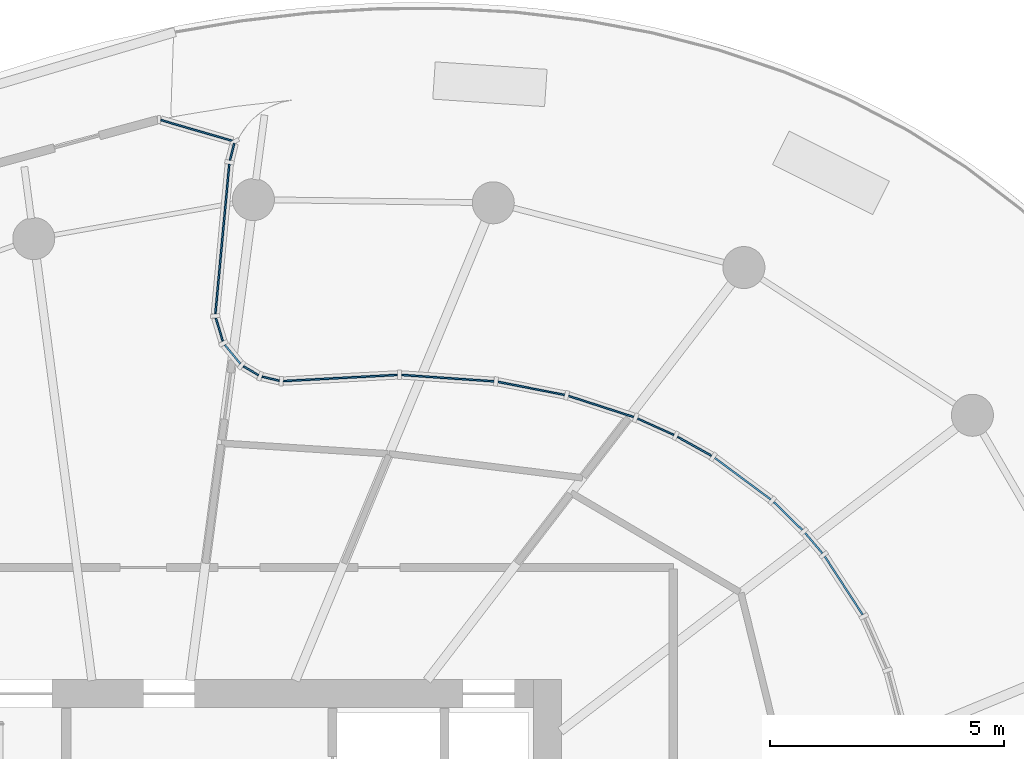
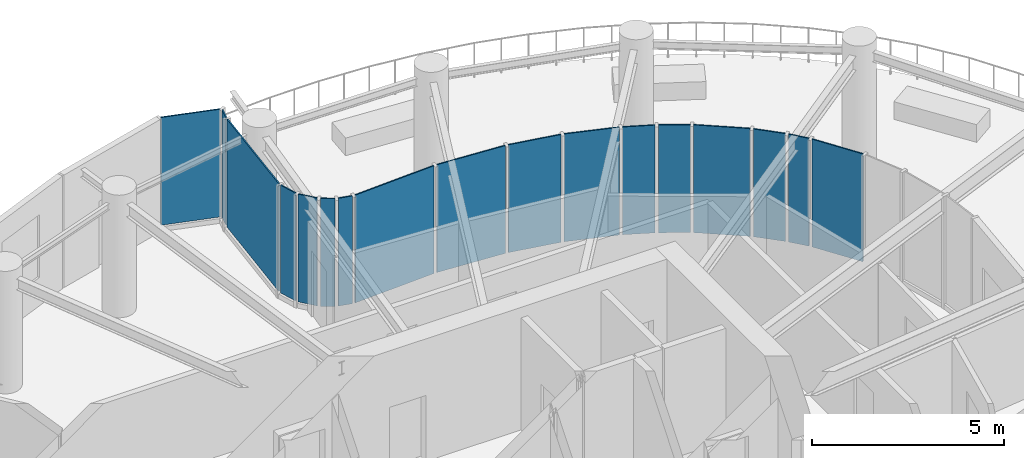
# One storey, part 10 of 19: 17 plates, 3 elements without a shape of their own.
"""IFC4 building model written with IfcOpenShell, lengths in metres."""

from ifc_helpers import new_model, si_unit, direction, frame, origin, origin_2d, place, context, subcontext, project, spatial, rectangle, extrude, source, transform, mapped, material, layer, layer_set, type_object, element, aggregate, save


model = new_model("IFC4")

# Units and contexts
model_context = context("Model", 3, precision=1e-05, world=origin(), true_north=direction((0.0, 1.0)))
body_context = subcontext(model_context, "Body", "Model", "MODEL_VIEW")
ifc_project = project(units=[si_unit("LENGTHUNIT", "METRE"), si_unit("AREAUNIT", "SQUARE_METRE"), si_unit("VOLUMEUNIT", "CUBIC_METRE"), si_unit("PLANEANGLEUNIT", "RADIAN"), si_unit("MASSUNIT", "GRAM", prefix="KILO")], contexts=[model_context])

# Site, building, storey
site_placement = place(None, origin())
site = spatial("IfcSite", under=ifc_project, at=site_placement, CompositionType="ELEMENT")
building_placement = place(site_placement, origin())
building = spatial("IfcBuilding", under=site, at=building_placement, Name="Spindrift Exchange Tower", CompositionType="ELEMENT")
storey_placement = place(building_placement, frame((0.0, 0.0, 183.800048828125)))
storey = spatial("IfcBuildingStorey", under=building, at=storey_placement, Name="L44", CompositionType="ELEMENT", Elevation=183.800048828125)

# Curtain wall, plates
ifc_material_1 = material(Name="Fritted laminated glass with bronze frame", Category="glass")
ifc_layer_1 = layer(ifc_material_1, 0.199951171875)
ifc_layer_set_1 = layer_set([ifc_layer_1], Name="SKY GARDEN BRONZE GLAZED WALL")
curtain_wall_type = type_object("IfcCurtainWallType", Name="SKY GARDEN BRONZE GLAZED WALL", PredefinedType="NOTDEFINED", material=ifc_layer_set_1)
curtain_wall_1_placement = place(storey_placement, origin())
curtain_wall_1 = element("IfcCurtainWall", 1, at=curtain_wall_1_placement, inside=storey, type_object=curtain_wall_type, Name="L44 Sky Garden Bronze Glazed Wall run 8", PredefinedType="NOTDEFINED")
ifc_material_2 = material(Name="Bronze tinted laminated glass, clear vision", Category="glass")
ifc_layer_2 = layer(ifc_material_2, 0.0380859375)
ifc_layer_set_2 = layer_set([ifc_layer_2], Name="SKY GARDEN BRONZE GLAZED WALL PANEL CLEAR 1920")
plate_type_1 = type_object("IfcPlateType", Name="SKY GARDEN BRONZE GLAZED WALL PANEL CLEAR 1920", PredefinedType="CURTAIN_PANEL", material=ifc_layer_set_2)
shared_shape_1 = source(origin(), body_context, "Body", "SweptSolid", [
    extrude(rectangle(XDim=1.488525390625, YDim=0.0380859375, at=origin_2d()), origin(), (0.0, 0.0, 1.0), 3.429931640625),
])
plate_1_placement = place(storey_placement, frame((67.04638671875, 58.01318359375, 0.14990234375), z_axis=(0.0, 0.0, 1.0), x_axis=(-0.545470180816, 0.838130229643, 0.0)))
plate_1 = element("IfcPlate", 2, at=plate_1_placement, type_object=plate_type_1, Name="L44 panel CW-G.40", PredefinedType="CURTAIN_PANEL", context=body_context, shape_type="MappedRepresentation", body=[
    mapped(shared_shape_1, transform((0.0, 0.0, 0.0), scale=1.0)),
])
ifc_layer_3 = layer(ifc_material_2, 0.0380859375)
ifc_layer_set_3 = layer_set([ifc_layer_3], Name="SKY GARDEN BRONZE GLAZED WALL PANEL CLEAR 1200")
plate_type_2 = type_object("IfcPlateType", Name="SKY GARDEN BRONZE GLAZED WALL PANEL CLEAR 1200", PredefinedType="CURTAIN_PANEL", material=ifc_layer_set_3)
shared_shape_2 = source(origin(), body_context, "Body", "SweptSolid", [
    extrude(rectangle(XDim=0.5712890625, YDim=0.0380859375, at=origin_2d()), origin(), (0.0, 0.0, 1.0), 3.429931640625),
])
plate_2_placement = place(storey_placement, frame((66.404541015625, 58.92236328125, 0.14990234375), z_axis=(0.0, 0.0, 1.0), x_axis=(-0.648227554528, 0.761446674135, 0.0)))
plate_2 = element("IfcPlate", 3, at=plate_2_placement, type_object=plate_type_2, Name="L44 panel CW-G.41", PredefinedType="CURTAIN_PANEL", context=body_context, shape_type="MappedRepresentation", body=[
    mapped(shared_shape_2, transform((0.0, 0.0, 0.0), scale=1.0)),
])
shared_shape_3 = source(origin(), body_context, "Body", "SweptSolid", [
    extrude(rectangle(XDim=0.860107421875, YDim=0.0380859375, at=origin_2d()), origin(), (0.0, 0.0, 1.0), 3.429931640625),
])
plate_3_placement = place(storey_placement, frame((65.8544921875, 59.502685546875, 0.14990234375), z_axis=(0.0, 0.0, 1.0), x_axis=(-0.714370095952, 0.699768080159, 0.0)))
plate_3 = element("IfcPlate", 4, at=plate_3_placement, type_object=plate_type_1, Name="L44 panel CW-G.42", PredefinedType="CURTAIN_PANEL", context=body_context, shape_type="MappedRepresentation", body=[
    mapped(shared_shape_3, transform((0.0, 0.0, 0.0), scale=1.0)),
])
shared_shape_4 = source(origin(), body_context, "Body", "SweptSolid", [
    extrude(rectangle(XDim=1.48828125, YDim=0.0380859375, at=origin_2d()), origin(), (0.0, 0.0, 1.0), 3.429931640625),
])
plate_4_placement = place(storey_placement, frame((64.885009765625, 60.30224609375, 0.14990234375), z_axis=(0.0, 0.0, 1.0), x_axis=(-0.803138906518, 0.595791823406, 0.0)))
plate_4 = element("IfcPlate", 5, at=plate_4_placement, type_object=plate_type_1, Name="L44 panel CW-G.43", PredefinedType="CURTAIN_PANEL", context=body_context, shape_type="MappedRepresentation", body=[
    mapped(shared_shape_4, transform((0.0, 0.0, 0.0), scale=1.0)),
])
aggregate(curtain_wall_1, [plate_1, plate_2, plate_3, plate_4])

curtain_wall_2_placement = place(storey_placement, origin())
curtain_wall_2 = element("IfcCurtainWall", 6, at=curtain_wall_2_placement, inside=storey, type_object=curtain_wall_type, Name="L44 Sky Garden Bronze Glazed Wall run 9", PredefinedType="NOTDEFINED")
shared_shape_5 = source(origin(), body_context, "Body", "SweptSolid", [
    extrude(rectangle(XDim=0.836181640625, YDim=0.0380859375, at=origin_2d()), origin(), (0.0, 0.0, 1.0), 3.429931640625),
])
plate_5_placement = place(storey_placement, frame((63.8515625, 60.99609375, 0.14990234375), z_axis=(0.0, 0.0, 1.0), x_axis=(-0.872281869317, 0.489003415592, 0.0)))
plate_5 = element("IfcPlate", 7, at=plate_5_placement, type_object=plate_type_1, Name="L44 panel CW-G.44", PredefinedType="CURTAIN_PANEL", context=body_context, shape_type="MappedRepresentation", body=[
    mapped(shared_shape_5, transform((0.0, 0.0, 0.0), scale=1.0)),
])
ifc_layer_4 = layer(ifc_material_2, 0.0380859375)
ifc_layer_set_4 = layer_set([ifc_layer_4], Name="SKY GARDEN BRONZE GLAZED WALL PANEL CLEAR 1560")
plate_type_3 = type_object("IfcPlateType", Name="SKY GARDEN BRONZE GLAZED WALL PANEL CLEAR 1560", PredefinedType="CURTAIN_PANEL", material=ifc_layer_set_4)
shared_shape_6 = source(origin(), body_context, "Body", "SweptSolid", [
    extrude(rectangle(XDim=0.85595703125, YDim=0.0380859375, at=origin_2d()), origin(), (0.0, 0.0, 1.0), 3.429931640625),
])
plate_6_placement = place(storey_placement, frame((63.020751953125, 61.414306640625, 0.14990234375), z_axis=(0.0, 0.0, 1.0), x_axis=(-0.91197911848, 0.410236623739, 0.0)))
plate_6 = element("IfcPlate", 8, at=plate_6_placement, type_object=plate_type_3, Name="L44 panel CW-G.45", PredefinedType="CURTAIN_PANEL", context=body_context, shape_type="MappedRepresentation", body=[
    mapped(shared_shape_6, transform((0.0, 0.0, 0.0), scale=1.0)),
])
shared_shape_7 = source(origin(), body_context, "Body", "SweptSolid", [
    extrude(rectangle(XDim=1.46875, YDim=0.0380859375, at=origin_2d()), origin(), (0.0, 0.0, 1.0), 3.429931640625),
])
plate_7_placement = place(storey_placement, frame((61.852783203125, 61.84765625, 0.14990234375), z_axis=(0.0, 0.0, 1.0), x_axis=(-0.950975043472, 0.309267629561, 0.0)))
plate_7 = element("IfcPlate", 9, at=plate_7_placement, type_object=plate_type_1, Name="L44 panel CW-G.46", PredefinedType="CURTAIN_PANEL", context=body_context, shape_type="MappedRepresentation", body=[
    mapped(shared_shape_7, transform((0.0, 0.0, 0.0), scale=1.0)),
])
shared_shape_8 = source(origin(), body_context, "Body", "SweptSolid", [
    extrude(rectangle(XDim=1.45703125, YDim=0.0380859375, at=origin_2d()), origin(), (0.0, 0.0, 1.0), 3.429931640625),
])
plate_8_placement = place(storey_placement, frame((60.357421875, 62.235595703125, 0.14990234375), z_axis=(0.0, 0.0, 1.0), x_axis=(-0.981414775132, 0.191898512636, 0.0)))
plate_8 = element("IfcPlate", 10, at=plate_8_placement, type_object=plate_type_3, Name="L44 panel CW-G.47", PredefinedType="CURTAIN_PANEL", context=body_context, shape_type="MappedRepresentation", body=[
    mapped(shared_shape_8, transform((0.0, 0.0, 0.0), scale=1.0)),
])
shared_shape_9 = source(origin(), body_context, "Body", "SweptSolid", [
    extrude(rectangle(XDim=1.98486328125, YDim=0.0380859375, at=origin_2d()), origin(), (0.0, 0.0, 1.0), 3.429931640625),
])
plate_9_placement = place(storey_placement, frame((58.568359375, 62.455078125, 0.14990234375), z_axis=(0.0, 0.0, 1.0), x_axis=(-0.997607079323, 0.069138377804, 0.0)))
plate_9 = element("IfcPlate", 11, at=plate_9_placement, type_object=plate_type_2, Name="L44 panel CW-G.48", PredefinedType="CURTAIN_PANEL", context=body_context, shape_type="MappedRepresentation", body=[
    mapped(shared_shape_9, transform((0.0, 0.0, 0.0), scale=1.0)),
])
shared_shape_10 = source(origin(), body_context, "Body", "SweptSolid", [
    extrude(rectangle(XDim=2.451904296875, YDim=0.0380859375, at=origin_2d()), origin(), (0.0, 0.0, 1.0), 3.429931640625),
])
plate_10_placement = place(storey_placement, frame((56.269287109375, 62.458251953125, 0.14990234375), z_axis=(0.0, 0.0, 1.0), x_axis=(-0.998534309742, -0.054122382315, 0.0)))
plate_10 = element("IfcPlate", 12, at=plate_10_placement, type_object=plate_type_1, Name="L44 panel CW-G.49", PredefinedType="CURTAIN_PANEL", context=body_context, shape_type="MappedRepresentation", body=[
    mapped(shared_shape_10, transform((0.0, 0.0, 0.0), scale=1.0)),
])
aggregate(curtain_wall_2, [plate_5, plate_6, plate_7, plate_8, plate_9, plate_10])

curtain_wall_3_placement = place(storey_placement, origin())
curtain_wall_3 = element("IfcCurtainWall", 13, at=curtain_wall_3_placement, inside=storey, type_object=curtain_wall_type, Name="L44 Sky Garden Bronze Glazed Wall run 10", PredefinedType="NOTDEFINED")
shared_shape_11 = source(origin(), body_context, "Body", "SweptSolid", [
    extrude(rectangle(XDim=0.379638671875, YDim=0.0380859375, at=origin_2d()), origin(), (0.0, 0.0, 1.0), 3.429931640625),
])
plate_11_placement = place(storey_placement, frame((54.77685546875, 62.443115234375, 0.14990234375), z_axis=(0.0, 0.0, 1.0), x_axis=(-0.972863983649, 0.231377763234, 0.0)))
plate_11 = element("IfcPlate", 14, at=plate_11_placement, type_object=plate_type_1, Name="L44 panel CW-G.50", PredefinedType="CURTAIN_PANEL", context=body_context, shape_type="MappedRepresentation", body=[
    mapped(shared_shape_11, transform((0.0, 0.0, 0.0), scale=1.0)),
])
shared_shape_12 = source(origin(), body_context, "Body", "SweptSolid", [
    extrude(rectangle(XDim=0.374755859375, YDim=0.0380859375, at=origin_2d()), origin(), (0.0, 0.0, 1.0), 3.429931640625),
])
plate_12_placement = place(storey_placement, frame((54.352783203125, 62.61376953125, 0.14990234375), z_axis=(0.0, 0.0, 1.0), x_axis=(-0.861402304127, 0.507923291891, 0.0)))
plate_12 = element("IfcPlate", 15, at=plate_12_placement, type_object=plate_type_3, Name="L44 panel CW-G.51", PredefinedType="CURTAIN_PANEL", context=body_context, shape_type="MappedRepresentation", body=[
    mapped(shared_shape_12, transform((0.0, 0.0, 0.0), scale=1.0)),
])
shared_shape_13 = source(origin(), body_context, "Body", "SweptSolid", [
    extrude(rectangle(XDim=0.526123046875, YDim=0.0380859375, at=origin_2d()), origin(), (0.0, 0.0, 1.0), 3.429931640625),
])
plate_13_placement = place(storey_placement, frame((53.960205078125, 62.966064453125, 0.14990234375), z_axis=(0.0, 0.0, 1.0), x_axis=(-0.637105217791, 0.770776842843, 0.0)))
plate_13 = element("IfcPlate", 16, at=plate_13_placement, type_object=plate_type_2, Name="L44 panel CW-G.52", PredefinedType="CURTAIN_PANEL", context=body_context, shape_type="MappedRepresentation", body=[
    mapped(shared_shape_13, transform((0.0, 0.0, 0.0), scale=1.0)),
])
shared_shape_14 = source(origin(), body_context, "Body", "SweptSolid", [
    extrude(rectangle(XDim=0.526123046875, YDim=0.0380859375, at=origin_2d()), origin(), (0.0, 0.0, 1.0), 3.429931640625),
])
plate_14_placement = place(storey_placement, frame((53.677001953125, 63.494140625, 0.14990234375), z_axis=(0.0, 0.0, 1.0), x_axis=(-0.289598160309, 0.957148319513, 0.0)))
plate_14 = element("IfcPlate", 17, at=plate_14_placement, type_object=plate_type_3, Name="L44 panel CW-G.53", PredefinedType="CURTAIN_PANEL", context=body_context, shape_type="MappedRepresentation", body=[
    mapped(shared_shape_14, transform((0.0, 0.0, 0.0), scale=1.0)),
])
shared_shape_15 = source(origin(), body_context, "Body", "SweptSolid", [
    extrude(rectangle(XDim=3.2216796875, YDim=0.0380859375, at=origin_2d()), origin(), (0.0, 0.0, 1.0), 3.429931640625),
])
plate_15_placement = place(storey_placement, frame((53.7412109375, 65.43310546875, 0.14990234375), z_axis=(0.0, 0.0, 1.0), x_axis=(0.092354946628, 0.995726149016, 0.0)))
plate_15 = element("IfcPlate", 18, at=plate_15_placement, type_object=plate_type_3, Name="L44 panel CW-G.54", PredefinedType="CURTAIN_PANEL", context=body_context, shape_type="MappedRepresentation", body=[
    mapped(shared_shape_15, transform((0.0, 0.0, 0.0), scale=1.0)),
])
shared_shape_16 = source(origin(), body_context, "Body", "SweptSolid", [
    extrude(rectangle(XDim=0.3701171875, YDim=0.0380859375, at=origin_2d()), origin(), (0.0, 0.0, 1.0), 3.429931640625),
])
plate_16_placement = place(storey_placement, frame((53.949951171875, 67.2998046875, 0.14990234375), z_axis=(0.0, 0.0, 1.0), x_axis=(0.246359665948, 0.969178474273, 0.0)))
plate_16 = element("IfcPlate", 19, at=plate_16_placement, type_object=plate_type_2, Name="L44 panel CW-G.55", PredefinedType="CURTAIN_PANEL", context=body_context, shape_type="MappedRepresentation", body=[
    mapped(shared_shape_16, transform((0.0, 0.0, 0.0), scale=1.0)),
])
shared_shape_17 = source(origin(), body_context, "Body", "SweptSolid", [
    extrude(rectangle(XDim=1.604736328125, YDim=0.0380859375, at=origin_2d()), origin(), (0.0, 0.0, 1.0), 3.429931640625),
])
plate_17_placement = place(storey_placement, frame((53.19482421875, 67.756591796875, 0.14990234375), z_axis=(0.0, 0.0, 1.0), x_axis=(-0.960070364345, 0.279758637949, 0.0)))
plate_17 = element("IfcPlate", 20, at=plate_17_placement, type_object=plate_type_3, Name="L44 panel CW-G.56", PredefinedType="CURTAIN_PANEL", context=body_context, shape_type="MappedRepresentation", body=[
    mapped(shared_shape_17, transform((0.0, 0.0, 0.0), scale=1.0)),
])
aggregate(curtain_wall_3, [plate_11, plate_12, plate_13, plate_14, plate_15, plate_16, plate_17])

save(model, "model.ifc")
